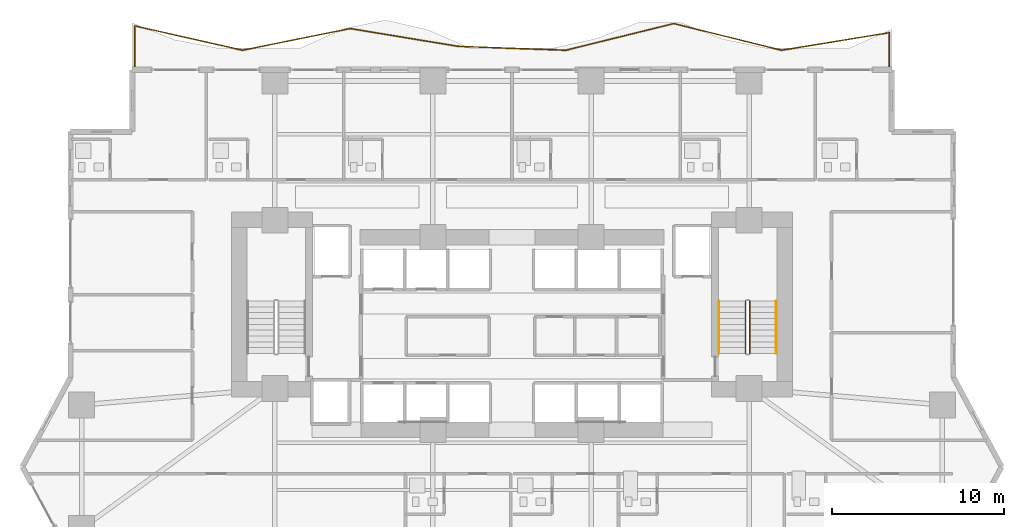
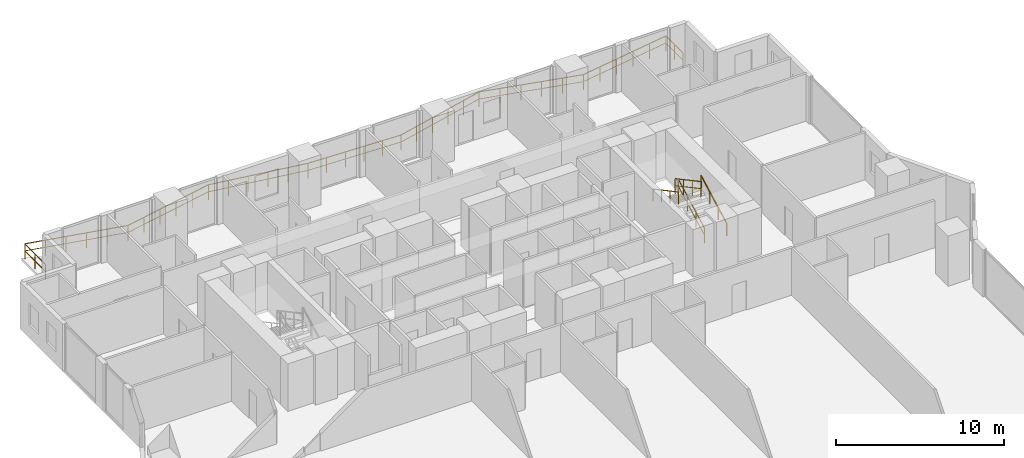
# One storey, part 28 of 30: 5 railings.
"""IFC4 building model written with IfcOpenShell, lengths in metres."""

from ifc_helpers import new_model, si_unit, direction, frame, origin, origin_2d, place, context, subcontext, project, spatial, rectangle, extrude, material, type_object, element, save


model = new_model("IFC4")

# Units and contexts
model_context = context("Model", 3, precision=1e-05, world=origin(), true_north=direction((0.0, 1.0)))
body_context = subcontext(model_context, "Body", "Model", "MODEL_VIEW")
ifc_project = project(units=[si_unit("LENGTHUNIT", "METRE"), si_unit("AREAUNIT", "SQUARE_METRE"), si_unit("VOLUMEUNIT", "CUBIC_METRE"), si_unit("PLANEANGLEUNIT", "RADIAN"), si_unit("MASSUNIT", "GRAM", prefix="KILO")], contexts=[model_context])

# Site, building, storey
site_placement = place(None, origin())
site = spatial("IfcSite", under=ifc_project, at=site_placement, CompositionType="ELEMENT")
building_placement = place(site_placement, origin())
building = spatial("IfcBuilding", under=site, at=building_placement, Name="Zuhayl Quay Hotel", CompositionType="ELEMENT")
storey_placement = place(building_placement, frame((0.0, 0.0, 82.35009765625)))
storey = spatial("IfcBuildingStorey", under=building, at=storey_placement, Name="L20", CompositionType="ELEMENT", Elevation=82.35009765625)

# Railings
ifc_material_1 = material(Name="Anodised Aluminium and Laminated Glass", Category="aluminium")
railing_type_1 = type_object("IfcRailingType", Name="RL_EXT_BAL_1100", PredefinedType="BALUSTRADE", material=ifc_material_1)
railing_1_placement = place(storey_placement, frame((-21.9599609375, 23.219970703125, 0.0)))
element("IfcRailing", 1, at=railing_1_placement, inside=storey, type_object=railing_type_1, Name="L20 Balcony and Terrace Guard GR_L20_BAL_N", PredefinedType="BALUSTRADE", context=body_context, shape_type="SweptSolid", body=[
    extrude(rectangle(XDim=0.048095703125, YDim=0.048095703125, at=origin_2d()), frame((0.0, 0.0, 1.09619140625), z_axis=(0.0, 1.0, 0.0), x_axis=(-1.0, 0.0, 0.0)), (0.0, 0.0, 1.0), 2.4365234375),
    extrude(rectangle(XDim=0.0361328125, YDim=0.0361328125, at=origin_2d()), frame((0.0, 0.0, 0.58251953125), z_axis=(0.0, 1.0, 0.0), x_axis=(-1.0, 0.0, 0.0)), (0.0, 0.0, 1.0), 2.4365234375),
    extrude(rectangle(XDim=0.048095703125, YDim=0.048095703125, at=origin_2d()), frame((0.0, 2.4365234375, 1.09619140625), z_axis=(0.975449156452, -0.22022475605, 0.0), x_axis=(0.22022475605, 0.975449156452, 0.0)), (0.0, 0.0, 1.0), 6.43212890625),
    extrude(rectangle(XDim=0.0361328125, YDim=0.0361328125, at=origin_2d()), frame((0.0, 2.4365234375, 0.58251953125), z_axis=(0.975449156452, -0.22022475605, 0.0), x_axis=(0.22022475605, 0.975449156452, 0.0)), (0.0, 0.0, 1.0), 6.43212890625),
    extrude(rectangle(XDim=0.048095703125, YDim=0.048095703125, at=origin_2d()), frame((6.274169921875, 1.02001953125, 1.09619140625), z_axis=(0.980382103762, 0.197106394169, 0.0), x_axis=(-0.197106394169, 0.980382103762, 0.0)), (0.0, 0.0, 1.0), 6.39990234375),
    extrude(rectangle(XDim=0.0361328125, YDim=0.0361328125, at=origin_2d()), frame((6.274169921875, 1.02001953125, 0.58251953125), z_axis=(0.980382103762, 0.197106394169, 0.0), x_axis=(-0.197106394169, 0.980382103762, 0.0)), (0.0, 0.0, 1.0), 6.39990234375),
    extrude(rectangle(XDim=0.048095703125, YDim=0.048095703125, at=origin_2d()), frame((12.548583984375, 2.281494140625, 1.09619140625), z_axis=(0.986624333704, -0.163010503168, 0.0), x_axis=(0.163010503168, 0.986624333704, 0.0)), (0.0, 0.0, 1.0), 6.359130859375),
    extrude(rectangle(XDim=0.0361328125, YDim=0.0361328125, at=origin_2d()), frame((12.548583984375, 2.281494140625, 0.58251953125), z_axis=(0.986624333704, -0.163010503168, 0.0), x_axis=(0.163010503168, 0.986624333704, 0.0)), (0.0, 0.0, 1.0), 6.359130859375),
    extrude(rectangle(XDim=0.048095703125, YDim=0.048095703125, at=origin_2d()), frame((18.82275390625, 1.244873046875, 1.09619140625), z_axis=(0.99935848775, -0.035813586273, 0.0), x_axis=(0.035813586273, 0.99935848775, 0.0)), (0.0, 0.0, 1.0), 6.2783203125),
    extrude(rectangle(XDim=0.0361328125, YDim=0.0361328125, at=origin_2d()), frame((18.82275390625, 1.244873046875, 0.58251953125), z_axis=(0.99935848775, -0.035813586273, 0.0), x_axis=(0.035813586273, 0.99935848775, 0.0)), (0.0, 0.0, 1.0), 6.2783203125),
    extrude(rectangle(XDim=0.048095703125, YDim=0.048095703125, at=origin_2d()), frame((25.09716796875, 1.02001953125, 1.09619140625), z_axis=(0.970750468936, 0.24009066425, 0.0), x_axis=(-0.24009066425, 0.970750468936, 0.0)), (0.0, 0.0, 1.0), 6.463134765625),
    extrude(rectangle(XDim=0.0361328125, YDim=0.0361328125, at=origin_2d()), frame((25.09716796875, 1.02001953125, 0.58251953125), z_axis=(0.970750468936, 0.24009066425, 0.0), x_axis=(-0.24009066425, 0.970750468936, 0.0)), (0.0, 0.0, 1.0), 6.463134765625),
    extrude(rectangle(XDim=0.048095703125, YDim=0.048095703125, at=origin_2d()), frame((31.371337890625, 2.57177734375, 1.09619140625), z_axis=(0.970752646235, -0.24008186068, 0.0), x_axis=(0.24008186068, 0.970752646235, 0.0)), (0.0, 0.0, 1.0), 6.46337890625),
    extrude(rectangle(XDim=0.0361328125, YDim=0.0361328125, at=origin_2d()), frame((31.371337890625, 2.57177734375, 0.58251953125), z_axis=(0.970752646235, -0.24008186068, 0.0), x_axis=(0.24008186068, 0.970752646235, 0.0)), (0.0, 0.0, 1.0), 6.46337890625),
    extrude(rectangle(XDim=0.048095703125, YDim=0.048095703125, at=origin_2d()), frame((37.645751953125, 1.02001953125, 1.09619140625), z_axis=(0.987035018698, 0.160505052459, 0.0), x_axis=(-0.160505052459, 0.987035018698, 0.0)), (0.0, 0.0, 1.0), 6.356689453125),
    extrude(rectangle(XDim=0.0361328125, YDim=0.0361328125, at=origin_2d()), frame((37.645751953125, 1.02001953125, 0.58251953125), z_axis=(0.987035018698, 0.160505052459, 0.0), x_axis=(-0.160505052459, 0.987035018698, 0.0)), (0.0, 0.0, 1.0), 6.356689453125),
    extrude(rectangle(XDim=0.048095703125, YDim=0.048095703125, at=origin_2d()), frame((43.919921875, 2.040283203125, 1.09619140625), z_axis=(0.0, -1.0, 0.0), x_axis=(1.0, 0.0, 0.0)), (0.0, 0.0, 1.0), 2.040283203125),
    extrude(rectangle(XDim=0.0361328125, YDim=0.0361328125, at=origin_2d()), frame((43.919921875, 2.040283203125, 0.58251953125), z_axis=(0.0, -1.0, 0.0), x_axis=(1.0, 0.0, 0.0)), (0.0, 0.0, 1.0), 2.040283203125),
    extrude(rectangle(XDim=0.0419921875, YDim=0.0419921875, at=origin_2d()), origin(), (0.0, 0.0, 1.0), 1.072021484375),
    extrude(rectangle(XDim=0.0419921875, YDim=0.0419921875, at=origin_2d()), frame((0.0, 1.21826171875, 0.0)), (0.0, 0.0, 1.0), 1.072021484375),
    extrude(rectangle(XDim=0.0419921875, YDim=0.0419921875, at=origin_2d()), frame((0.0, 2.4365234375, 0.0)), (0.0, 0.0, 1.0), 1.072021484375),
    extrude(rectangle(XDim=0.0419921875, YDim=0.0419921875, at=origin_2d()), frame((1.2548828125, 2.1533203125, 0.0)), (0.0, 0.0, 1.0), 1.072021484375),
    extrude(rectangle(XDim=0.0419921875, YDim=0.0419921875, at=origin_2d()), frame((2.509765625, 1.869873046875, 0.0)), (0.0, 0.0, 1.0), 1.072021484375),
    extrude(rectangle(XDim=0.0419921875, YDim=0.0419921875, at=origin_2d()), frame((3.764404296875, 1.586669921875, 0.0)), (0.0, 0.0, 1.0), 1.072021484375),
    extrude(rectangle(XDim=0.0419921875, YDim=0.0419921875, at=origin_2d()), frame((5.019287109375, 1.30322265625, 0.0)), (0.0, 0.0, 1.0), 1.072021484375),
    extrude(rectangle(XDim=0.0419921875, YDim=0.0419921875, at=origin_2d()), frame((6.274169921875, 1.02001953125, 0.0)), (0.0, 0.0, 1.0), 1.072021484375),
    extrude(rectangle(XDim=0.0419921875, YDim=0.0419921875, at=origin_2d()), frame((7.529052734375, 1.272216796875, 0.0)), (0.0, 0.0, 1.0), 1.072021484375),
    extrude(rectangle(XDim=0.0419921875, YDim=0.0419921875, at=origin_2d()), frame((8.783935546875, 1.524658203125, 0.0)), (0.0, 0.0, 1.0), 1.072021484375),
    extrude(rectangle(XDim=0.0419921875, YDim=0.0419921875, at=origin_2d()), frame((10.038818359375, 1.77685546875, 0.0)), (0.0, 0.0, 1.0), 1.072021484375),
    extrude(rectangle(XDim=0.0419921875, YDim=0.0419921875, at=origin_2d()), frame((11.293701171875, 2.029296875, 0.0)), (0.0, 0.0, 1.0), 1.072021484375),
    extrude(rectangle(XDim=0.0419921875, YDim=0.0419921875, at=origin_2d()), frame((12.548583984375, 2.281494140625, 0.0)), (0.0, 0.0, 1.0), 1.072021484375),
    extrude(rectangle(XDim=0.0419921875, YDim=0.0419921875, at=origin_2d()), frame((13.803466796875, 2.07421875, 0.0)), (0.0, 0.0, 1.0), 1.072021484375),
    extrude(rectangle(XDim=0.0419921875, YDim=0.0419921875, at=origin_2d()), frame((15.058349609375, 1.866943359375, 0.0)), (0.0, 0.0, 1.0), 1.072021484375),
    extrude(rectangle(XDim=0.0419921875, YDim=0.0419921875, at=origin_2d()), frame((16.31298828125, 1.659423828125, 0.0)), (0.0, 0.0, 1.0), 1.072021484375),
    extrude(rectangle(XDim=0.0419921875, YDim=0.0419921875, at=origin_2d()), frame((17.56787109375, 1.4521484375, 0.0)), (0.0, 0.0, 1.0), 1.072021484375),
    extrude(rectangle(XDim=0.0419921875, YDim=0.0419921875, at=origin_2d()), frame((18.82275390625, 1.244873046875, 0.0)), (0.0, 0.0, 1.0), 1.072021484375),
    extrude(rectangle(XDim=0.0419921875, YDim=0.0419921875, at=origin_2d()), frame((20.07763671875, 1.199951171875, 0.0)), (0.0, 0.0, 1.0), 1.072021484375),
    extrude(rectangle(XDim=0.0419921875, YDim=0.0419921875, at=origin_2d()), frame((21.33251953125, 1.155029296875, 0.0)), (0.0, 0.0, 1.0), 1.072021484375),
    extrude(rectangle(XDim=0.0419921875, YDim=0.0419921875, at=origin_2d()), frame((22.58740234375, 1.10986328125, 0.0)), (0.0, 0.0, 1.0), 1.072021484375),
    extrude(rectangle(XDim=0.0419921875, YDim=0.0419921875, at=origin_2d()), frame((23.84228515625, 1.06494140625, 0.0)), (0.0, 0.0, 1.0), 1.072021484375),
    extrude(rectangle(XDim=0.0419921875, YDim=0.0419921875, at=origin_2d()), frame((25.09716796875, 1.02001953125, 0.0)), (0.0, 0.0, 1.0), 1.072021484375),
    extrude(rectangle(XDim=0.0419921875, YDim=0.0419921875, at=origin_2d()), frame((26.35205078125, 1.330322265625, 0.0)), (0.0, 0.0, 1.0), 1.072021484375),
    extrude(rectangle(XDim=0.0419921875, YDim=0.0419921875, at=origin_2d()), frame((27.60693359375, 1.640625, 0.0)), (0.0, 0.0, 1.0), 1.072021484375),
    extrude(rectangle(XDim=0.0419921875, YDim=0.0419921875, at=origin_2d()), frame((28.861572265625, 1.951171875, 0.0)), (0.0, 0.0, 1.0), 1.072021484375),
    extrude(rectangle(XDim=0.0419921875, YDim=0.0419921875, at=origin_2d()), frame((30.116455078125, 2.261474609375, 0.0)), (0.0, 0.0, 1.0), 1.072021484375),
    extrude(rectangle(XDim=0.0419921875, YDim=0.0419921875, at=origin_2d()), frame((31.371337890625, 2.57177734375, 0.0)), (0.0, 0.0, 1.0), 1.072021484375),
    extrude(rectangle(XDim=0.0419921875, YDim=0.0419921875, at=origin_2d()), frame((32.626220703125, 2.261474609375, 0.0)), (0.0, 0.0, 1.0), 1.072021484375),
    extrude(rectangle(XDim=0.0419921875, YDim=0.0419921875, at=origin_2d()), frame((33.881103515625, 1.951171875, 0.0)), (0.0, 0.0, 1.0), 1.072021484375),
    extrude(rectangle(XDim=0.0419921875, YDim=0.0419921875, at=origin_2d()), frame((35.135986328125, 1.640625, 0.0)), (0.0, 0.0, 1.0), 1.072021484375),
    extrude(rectangle(XDim=0.0419921875, YDim=0.0419921875, at=origin_2d()), frame((36.390869140625, 1.330322265625, 0.0)), (0.0, 0.0, 1.0), 1.072021484375),
    extrude(rectangle(XDim=0.0419921875, YDim=0.0419921875, at=origin_2d()), frame((37.645751953125, 1.02001953125, 0.0)), (0.0, 0.0, 1.0), 1.072021484375),
    extrude(rectangle(XDim=0.0419921875, YDim=0.0419921875, at=origin_2d()), frame((38.900634765625, 1.22412109375, 0.0)), (0.0, 0.0, 1.0), 1.072021484375),
    extrude(rectangle(XDim=0.0419921875, YDim=0.0419921875, at=origin_2d()), frame((40.155517578125, 1.42822265625, 0.0)), (0.0, 0.0, 1.0), 1.072021484375),
    extrude(rectangle(XDim=0.0419921875, YDim=0.0419921875, at=origin_2d()), frame((41.41015625, 1.632080078125, 0.0)), (0.0, 0.0, 1.0), 1.072021484375),
    extrude(rectangle(XDim=0.0419921875, YDim=0.0419921875, at=origin_2d()), frame((42.6650390625, 1.836181640625, 0.0)), (0.0, 0.0, 1.0), 1.072021484375),
    extrude(rectangle(XDim=0.0419921875, YDim=0.0419921875, at=origin_2d()), frame((43.919921875, 2.040283203125, 0.0)), (0.0, 0.0, 1.0), 1.072021484375),
    extrude(rectangle(XDim=0.0419921875, YDim=0.0419921875, at=origin_2d()), frame((43.919921875, 1.02001953125, 0.0)), (0.0, 0.0, 1.0), 1.072021484375),
    extrude(rectangle(XDim=0.0419921875, YDim=0.0419921875, at=origin_2d()), frame((43.919921875, 0.0, 0.0)), (0.0, 0.0, 1.0), 1.072021484375),
])
ifc_material_2 = material(Name="Steel ASTM A992 Grade 50", Category="steel")
railing_type_2 = type_object("IfcRailingType", Name="RL_GUARD_1100", PredefinedType="GUARDRAIL", material=ifc_material_2)
railing_2_placement = place(storey_placement, frame((13.840087890625, 6.590087890625, 0.182373046875)))
element("IfcRailing", 2, at=railing_2_placement, inside=storey, type_object=railing_type_2, Name="L20 ST2 stair guard 1", PredefinedType="GUARDRAIL", context=body_context, shape_type="SweptSolid", body=[
    extrude(rectangle(XDim=0.048095703125, YDim=0.048095703125, at=origin_2d()), frame((0.0, 0.0, 1.09619140625), z_axis=(0.0, 0.88107310026, 0.472980117973), x_axis=(-1.0, 0.0, 0.0)), (0.0, 0.0, 1.0), 3.472900390625),
    extrude(rectangle(XDim=0.0361328125, YDim=0.0361328125, at=origin_2d()), frame((0.0, 0.0, 0.58251953125), z_axis=(0.0, 0.88107310026, 0.472980117973), x_axis=(-1.0, 0.0, 0.0)), (0.0, 0.0, 1.0), 3.472900390625),
    extrude(rectangle(XDim=0.0419921875, YDim=0.0419921875, at=origin_2d()), origin(), (0.0, 0.0, 1.0), 1.072021484375),
    extrude(rectangle(XDim=0.0419921875, YDim=0.0419921875, at=origin_2d()), frame((0.0, 1.02001953125, 0.547607421875)), (0.0, 0.0, 1.0), 1.072021484375),
    extrude(rectangle(XDim=0.0419921875, YDim=0.0419921875, at=origin_2d()), frame((0.0, 2.039794921875, 1.094970703125)), (0.0, 0.0, 1.0), 1.072021484375),
    extrude(rectangle(XDim=0.0419921875, YDim=0.0419921875, at=origin_2d()), frame((0.0, 3.059814453125, 1.642578125)), (0.0, 0.0, 1.0), 1.072021484375),
])
railing_3_placement = place(storey_placement, frame((13.590087890625, 9.64990234375, 2.00732421875)))
element("IfcRailing", 3, at=railing_3_placement, inside=storey, type_object=railing_type_2, Name="L20 ST2 stair guard 3", PredefinedType="GUARDRAIL", context=body_context, shape_type="SweptSolid", body=[
    extrude(rectangle(XDim=0.048095703125, YDim=0.048095703125, at=origin_2d()), frame((0.0, 0.0, 1.09619140625), z_axis=(0.0, -0.88107310026, 0.472980117973), x_axis=(1.0, 0.0, 0.0)), (0.0, 0.0, 1.0), 3.472900390625),
    extrude(rectangle(XDim=0.0361328125, YDim=0.0361328125, at=origin_2d()), frame((0.0, 0.0, 0.58251953125), z_axis=(0.0, -0.88107310026, 0.472980117973), x_axis=(1.0, 0.0, 0.0)), (0.0, 0.0, 1.0), 3.472900390625),
    extrude(rectangle(XDim=0.0419921875, YDim=0.0419921875, at=origin_2d()), origin(), (0.0, 0.0, 1.0), 1.072021484375),
    extrude(rectangle(XDim=0.0419921875, YDim=0.0419921875, at=origin_2d()), frame((0.0, -1.02001953125, 0.547607421875)), (0.0, 0.0, 1.0), 1.072021484375),
    extrude(rectangle(XDim=0.0419921875, YDim=0.0419921875, at=origin_2d()), frame((0.0, -2.039794921875, 1.094970703125)), (0.0, 0.0, 1.0), 1.072021484375),
    extrude(rectangle(XDim=0.0419921875, YDim=0.0419921875, at=origin_2d()), frame((0.0, -3.059814453125, 1.642578125)), (0.0, 0.0, 1.0), 1.072021484375),
])
railing_type_3 = type_object("IfcRailingType", Name="RL_HANDRAIL_920", PredefinedType="HANDRAIL", material=ifc_material_2)
railing_4_placement = place(storey_placement, frame((15.3798828125, 6.590087890625, 0.182373046875)))
element("IfcRailing", 4, at=railing_4_placement, inside=storey, type_object=railing_type_3, Name="L20 ST2 stair handrail 1", PredefinedType="HANDRAIL", context=body_context, shape_type="SweptSolid", body=[
    extrude(rectangle(XDim=0.048095703125, YDim=0.048095703125, at=origin_2d()), frame((0.0, 0.0, 0.8759765625), z_axis=(0.0, 0.88107310026, 0.472980117973), x_axis=(-1.0, 0.0, 0.0)), (0.0, 0.0, 1.0), 3.472900390625),
    extrude(rectangle(XDim=0.0419921875, YDim=0.0419921875, at=origin_2d()), origin(), (0.0, 0.0, 1.0), 0.851806640625),
    extrude(rectangle(XDim=0.0419921875, YDim=0.0419921875, at=origin_2d()), frame((0.0, 1.02001953125, 0.547607421875)), (0.0, 0.0, 1.0), 0.851806640625),
    extrude(rectangle(XDim=0.0419921875, YDim=0.0419921875, at=origin_2d()), frame((0.0, 2.039794921875, 1.094970703125)), (0.0, 0.0, 1.0), 0.851806640625),
    extrude(rectangle(XDim=0.0419921875, YDim=0.0419921875, at=origin_2d()), frame((0.0, 3.059814453125, 1.642578125)), (0.0, 0.0, 1.0), 0.851806640625),
])
railing_5_placement = place(storey_placement, frame((12.050048828125, 9.64990234375, 2.00732421875)))
element("IfcRailing", 5, at=railing_5_placement, inside=storey, type_object=railing_type_3, Name="L20 ST2 stair handrail 2", PredefinedType="HANDRAIL", context=body_context, shape_type="SweptSolid", body=[
    extrude(rectangle(XDim=0.048095703125, YDim=0.048095703125, at=origin_2d()), frame((0.0, 0.0, 0.8759765625), z_axis=(0.0, -0.88107310026, 0.472980117973), x_axis=(1.0, 0.0, 0.0)), (0.0, 0.0, 1.0), 3.472900390625),
    extrude(rectangle(XDim=0.0419921875, YDim=0.0419921875, at=origin_2d()), origin(), (0.0, 0.0, 1.0), 0.851806640625),
    extrude(rectangle(XDim=0.0419921875, YDim=0.0419921875, at=origin_2d()), frame((0.0, -1.02001953125, 0.547607421875)), (0.0, 0.0, 1.0), 0.851806640625),
    extrude(rectangle(XDim=0.0419921875, YDim=0.0419921875, at=origin_2d()), frame((0.0, -2.039794921875, 1.094970703125)), (0.0, 0.0, 1.0), 0.851806640625),
    extrude(rectangle(XDim=0.0419921875, YDim=0.0419921875, at=origin_2d()), frame((0.0, -3.059814453125, 1.642578125)), (0.0, 0.0, 1.0), 0.851806640625),
])

save(model, "model.ifc")
